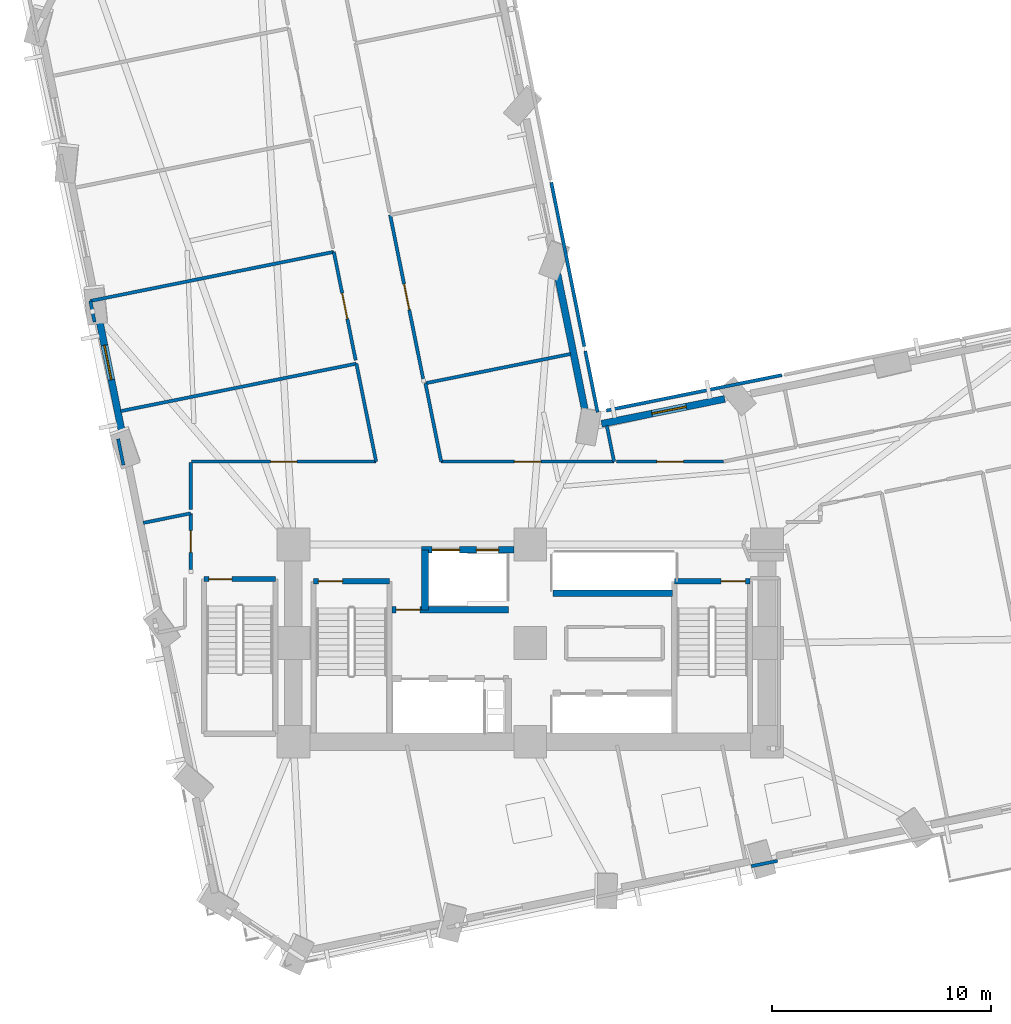
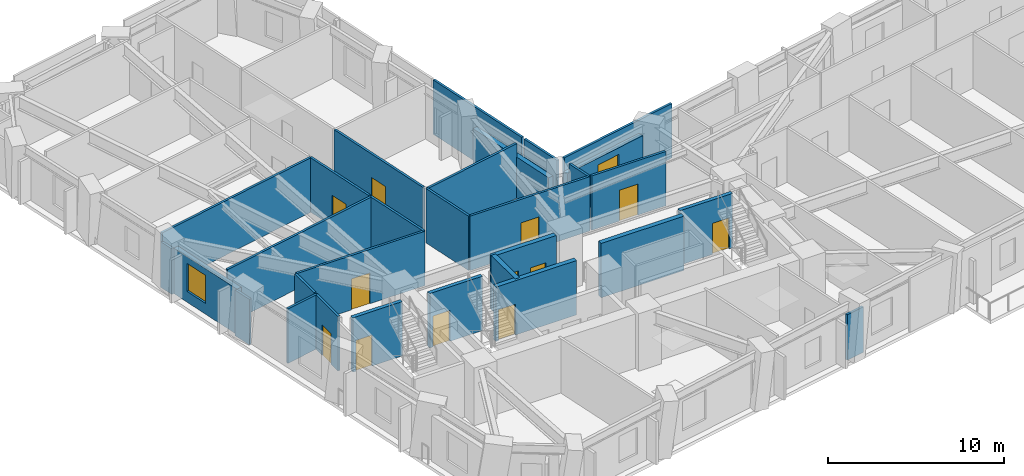
# One storey, part 8 of 16: 30 walls, 12 doors, 2 windows, 14 openings.
"""IFC4 building model written with IfcOpenShell, lengths in metres."""

from ifc_helpers import new_model, si_unit, direction, frame, frame_2d, origin, place, context, subcontext, project, spatial, rectangle, extrude, material, layer, layer_set, type_object, element, fill, save


model = new_model("IFC4")

# Units and contexts
model_context = context("Model", 3, precision=1e-05, world=origin(), true_north=direction((0.0, 1.0)))
body_context = subcontext(model_context, "Body", "Model", "MODEL_VIEW")
ifc_project = project(units=[si_unit("LENGTHUNIT", "METRE"), si_unit("AREAUNIT", "SQUARE_METRE"), si_unit("VOLUMEUNIT", "CUBIC_METRE"), si_unit("PLANEANGLEUNIT", "RADIAN"), si_unit("MASSUNIT", "GRAM", prefix="KILO")], contexts=[model_context])

# Site, building, storey
site_placement = place(None, origin())
site = spatial("IfcSite", under=ifc_project, at=site_placement, CompositionType="ELEMENT")
building_placement = place(site_placement, origin())
building = spatial("IfcBuilding", under=site, at=building_placement, Name="Gaonmaruhae Medical Tower", CompositionType="ELEMENT")
storey_placement = place(building_placement, frame((0.0, 0.0, 71.0)))
storey = spatial("IfcBuildingStorey", under=building, at=storey_placement, Name="L16", CompositionType="ELEMENT", Elevation=71.0)

# Wall, opening, window
ifc_material_1 = material(Name="Precast concrete C45/55", Category="concrete")
ifc_layer_1 = layer(ifc_material_1, 0.320068359375)
ifc_layer_set_1 = layer_set([ifc_layer_1], Name="Precast concrete C45/55")
wall_type_1 = type_object("IfcWallType", Name="EW-320 Lower Precast Masonry-Frame Facade Wall", PredefinedType="SOLIDWALL", material=ifc_layer_set_1)
wall_1_placement = place(storey_placement, frame((28.051025390625, 22.303955078125, 0.0), z_axis=(0.0, 0.0, 1.0), x_axis=(0.980271717469, 0.197654648138, 0.0)))
wall_1 = element("IfcWall", 1, at=wall_1_placement, inside=storey, type_object=wall_type_1, Name="L16 Precast Masonry-Frame Wall EN04-KN01", PredefinedType="SOLIDWALL", context=body_context, shape_type="SweptSolid", body=[
    extrude(rectangle(XDim=5.736328125, YDim=0.320068359375, at=frame_2d((2.8681640625, 0.0))), origin(), (0.0, 0.0, 1.0), 3.1650390625),
])
opening_1_placement = place(wall_1_placement, frame((2.343505859375, 0.0, 0.75)))
opening_1 = element("IfcOpeningElement", 2, at=opening_1_placement, cuts=wall_1, Name="Opening WN-01", PredefinedType="OPENING", context=body_context, shape_type="SweptSolid", body=[
    extrude(rectangle(XDim=1.60009765625, YDim=1.949951171875, at=frame_2d((0.800048828125, 0.97509765625))), frame((0.0, 0.169921875, 0.0), z_axis=(0.0, -1.0, 0.0), x_axis=(1.0, 0.0, 0.0)), (0.0, 0.0, 1.0), 0.340087890625),
])
ifc_material_2 = material(Name="Anodised aluminium and Low-E double glazing", Category="aluminium")
window_type = type_object("IfcWindowType", Name="WN-01 Ward Punched Acoustic Window 1600x1950", PartitioningType="SINGLE_PANEL", PredefinedType="WINDOW", material=ifc_material_2)
window_1_placement = place(opening_1_placement, origin())
window_1 = element("IfcWindow", 3, at=window_1_placement, inside=storey, type_object=window_type, Name="L16 Modular Facade Window EN04", OverallHeight=1.949951171875, OverallWidth=1.60009765625, PartitioningType="SINGLE_PANEL", PredefinedType="WINDOW", context=body_context, shape_type="SweptSolid", body=[
    extrude(rectangle(XDim=1.60009765625, YDim=1.949951171875, at=frame_2d((0.800048828125, 0.97509765625))), frame((0.0, 0.030029296875, 0.0), z_axis=(0.0, -1.0, 0.0), x_axis=(1.0, 0.0, 0.0)), (0.0, 0.0, 1.0), 0.06005859375),
])
fill(opening_1, window_1)

# Wall
wall_2_placement = place(storey_placement, frame((27.336669921875, 22.724609375, 0.0), z_axis=(0.0, 0.0, 1.0), x_axis=(-0.1976674394, 0.980269138248, 0.0)))
element("IfcWall", 4, at=wall_2_placement, inside=storey, type_object=wall_type_1, Name="L16 Precast Masonry-Frame Wall KN01-NE01", PredefinedType="SOLIDWALL", context=body_context, shape_type="SweptSolid", body=[
    extrude(rectangle(XDim=6.5361328125, YDim=0.320068359375, at=frame_2d((3.26806640625, 0.0))), origin(), (0.0, 0.0, 1.0), 2.864990234375),
])

# Wall, opening, window
wall_3_placement = place(storey_placement, frame((6.23095703125, 21.658447265625, 0.0), z_axis=(0.0, 0.0, 1.0), x_axis=(-0.19763548187, 0.980275581817, 0.0)))
wall_3 = element("IfcWall", 5, at=wall_3_placement, inside=storey, type_object=wall_type_1, Name="L16 Precast Masonry-Frame Wall W03-W04", PredefinedType="SOLIDWALL", context=body_context, shape_type="SweptSolid", body=[
    extrude(rectangle(XDim=5.437744140625, YDim=0.320068359375, at=frame_2d((2.71875, 0.0))), origin(), (0.0, 0.0, 1.0), 3.1650390625),
])
opening_2_placement = place(wall_3_placement, frame((2.712890625, 0.0, 0.75)))
opening_2 = element("IfcOpeningElement", 6, at=opening_2_placement, cuts=wall_3, Name="Opening WN-01", PredefinedType="OPENING", context=body_context, shape_type="SweptSolid", body=[
    extrude(rectangle(XDim=1.60009765625, YDim=1.949951171875, at=frame_2d((0.800048828125, 0.97509765625))), frame((0.0, 0.169921875, 0.0), z_axis=(0.0, -1.0, 0.0), x_axis=(1.0, 0.0, 0.0)), (0.0, 0.0, 1.0), 0.340087890625),
])
window_2_placement = place(opening_2_placement, origin())
window_2 = element("IfcWindow", 7, at=window_2_placement, inside=storey, type_object=window_type, Name="L16 Modular Facade Window W03", OverallHeight=1.949951171875, OverallWidth=1.60009765625, PartitioningType="SINGLE_PANEL", PredefinedType="WINDOW", context=body_context, shape_type="SweptSolid", body=[
    extrude(rectangle(XDim=1.60009765625, YDim=1.949951171875, at=frame_2d((0.800048828125, 0.97509765625))), frame((0.0, 0.030029296875, 0.0), z_axis=(0.0, -1.0, 0.0), x_axis=(1.0, 0.0, 0.0)), (0.0, 0.0, 1.0), 0.06005859375),
])
fill(opening_2, window_2)

# Walls
ifc_material_3 = material(Name="Gypsum board partition", Category="gypsum")
ifc_layer_2 = layer(ifc_material_3, 0.14990234375)
ifc_layer_set_2 = layer_set([ifc_layer_2], Name="Gypsum board partition")
wall_type_2 = type_object("IfcWallType", Name="PW-150 Rated Clinical Corridor Partition", PredefinedType="PARTITIONING", material=ifc_layer_set_2)
wall_4_placement = place(storey_placement, frame((36.074951171875, 2.366943359375, 0.0), z_axis=(0.0, 0.0, 1.0), x_axis=(-0.980137701234, -0.198318144961, 0.0)))
element("IfcWall", 8, at=wall_4_placement, inside=storey, type_object=wall_type_2, Name="L16 Interior Partition L16-TRM06-17", PredefinedType="PARTITIONING", context=body_context, shape_type="SweptSolid", body=[
    extrude(rectangle(XDim=1.215087890625, YDim=0.14990234375, at=frame_2d((0.607421875, 0.0))), origin(), (0.0, 0.0, 1.0), 3.1650390625),
])
wall_5_placement = place(storey_placement, frame((7.14990234375, 17.782958984375, 0.0), z_axis=(0.0, 0.0, 1.0), x_axis=(0.980235621704, 0.197833581431, 0.0)))
element("IfcWall", 9, at=wall_5_placement, inside=storey, type_object=wall_type_2, Name="L16 Interior Partition L16-WOF12-42", PredefinedType="PARTITIONING", context=body_context, shape_type="SweptSolid", body=[
    extrude(rectangle(XDim=2.2138671875, YDim=0.14990234375, at=frame_2d((1.10693359375, 0.0))), origin(), (0.0, 0.0, 1.0), 3.780029296875),
])

# Wall, opening, door
wall_6_placement = place(storey_placement, frame((9.320068359375, 18.220947265625, 0.0), z_axis=(0.0, 0.0, 1.0), x_axis=(0.0, -1.0, 0.0)))
wall_6 = element("IfcWall", 10, at=wall_6_placement, inside=storey, type_object=wall_type_2, Name="L16 Interior Partition L16-WOF12-43", PredefinedType="PARTITIONING", context=body_context, shape_type="SweptSolid", body=[
    extrude(rectangle(XDim=2.571044921875, YDim=0.14990234375, at=frame_2d((1.28564453125, 0.0))), origin(), (0.0, 0.0, 1.0), 3.780029296875),
])
opening_3_placement = place(wall_6_placement, frame((0.785400390625, 0.0, 0.0)))
opening_3 = element("IfcOpeningElement", 11, at=opening_3_placement, cuts=wall_6, Name="Opening CD-01", PredefinedType="OPENING", context=body_context, shape_type="SweptSolid", body=[
    extrude(rectangle(XDim=1.0, YDim=2.1201171875, at=frame_2d((0.5, 1.06005859375))), frame((0.0, 0.0849609375, 0.0), z_axis=(0.0, -1.0, 0.0), x_axis=(1.0, 0.0, 0.0)), (0.0, 0.0, 1.0), 0.169921875),
])
ifc_material_4 = material(Name="Antimicrobial laminate timber fire door", Category="wood")
door_type_1 = type_object("IfcDoorType", Name="CD-01 Consultation & Physician Office Door 1000x2120", OperationType="NOTDEFINED", PredefinedType="DOOR", material=ifc_material_4)
door_1_placement = place(opening_3_placement, origin())
door_1 = element("IfcDoor", 12, at=door_1_placement, inside=storey, type_object=door_type_1, Name="L16 Ward Physician Reporting Office Door", OperationType="SINGLE_SWING_RIGHT", OverallHeight=2.1201171875, OverallWidth=1.0, PredefinedType="DOOR", context=body_context, shape_type="SweptSolid", body=[
    extrude(rectangle(XDim=1.0, YDim=2.1201171875, at=frame_2d((0.5, 1.06005859375))), frame((0.0, 0.02490234375, 0.0), z_axis=(0.0, -1.0, 0.0), x_axis=(1.0, 0.0, 0.0)), (0.0, 0.0, 1.0), 0.050048828125),
])
fill(opening_3, door_1)

# Walls
wall_7_placement = place(storey_placement, frame((9.320068359375, 20.550048828125, 0.0), z_axis=(0.0, 0.0, 1.0), x_axis=(0.0, -1.0, 0.0)))
element("IfcWall", 13, at=wall_7_placement, inside=storey, type_object=wall_type_2, Name="L16 Interior Partition L16-WOF13-44", PredefinedType="PARTITIONING", context=body_context, shape_type="SweptSolid", body=[
    extrude(rectangle(XDim=2.166015625, YDim=0.14990234375, at=frame_2d((1.0830078125, 0.0))), origin(), (0.0, 0.0, 1.0), 3.780029296875),
])
wall_8_placement = place(storey_placement, frame((6.24609375, 20.4208984375, 0.0), z_axis=(0.0, 0.0, 1.0), x_axis=(-0.198315891718, 0.980138157145, 0.0)))
element("IfcWall", 14, at=wall_8_placement, inside=storey, type_object=wall_type_2, Name="L16 Interior Partition L16-WOF13-45", PredefinedType="PARTITIONING", context=body_context, shape_type="SweptSolid", body=[
    extrude(rectangle(XDim=1.21630859375, YDim=0.14990234375, at=frame_2d((0.608154296875, 0.0))), origin(), (0.0, 0.0, 1.0), 3.1650390625),
])
wall_9_placement = place(storey_placement, frame((6.1220703125, 22.881103515625, 0.0), z_axis=(0.0, 0.0, 1.0), x_axis=(0.980278085225, 0.197623064515, 0.0)))
element("IfcWall", 15, at=wall_9_placement, inside=storey, type_object=wall_type_2, Name="L16 Interior Partition L16-WOF13-46", PredefinedType="PARTITIONING", context=body_context, shape_type="SweptSolid", body=[
    extrude(rectangle(XDim=10.96533203125, YDim=0.14990234375, at=frame_2d((5.482666015625, 0.0))), origin(), (0.0, 0.0, 1.0), 3.780029296875),
])
wall_10_placement = place(storey_placement, frame((16.87109375, 25.048095703125, 0.0), z_axis=(0.0, 0.0, 1.0), x_axis=(0.197650705998, -0.980272512324, 0.0)))
element("IfcWall", 16, at=wall_10_placement, inside=storey, type_object=wall_type_2, Name="L16 Interior Partition L16-WOF13-47", PredefinedType="PARTITIONING", context=body_context, shape_type="SweptSolid", body=[
    extrude(rectangle(XDim=4.557861328125, YDim=0.14990234375, at=frame_2d((2.27880859375, 0.0))), origin(), (0.0, 0.0, 1.0), 3.780029296875),
])

# Wall, opening, door
wall_11_placement = place(storey_placement, frame((17.77197265625, 20.580078125, 0.0), z_axis=(0.0, 0.0, 1.0), x_axis=(-1.0, 0.0, 0.0)))
wall_11 = element("IfcWall", 17, at=wall_11_placement, inside=storey, type_object=wall_type_2, Name="L16 Interior Partition L16-WOF13-48", PredefinedType="PARTITIONING", context=body_context, shape_type="SweptSolid", body=[
    extrude(rectangle(XDim=8.425048828125, YDim=0.14990234375, at=frame_2d((4.21240234375, 0.0))), origin(), (0.0, 0.0, 1.0), 3.780029296875),
])
opening_4_placement = place(wall_11_placement, frame((3.612548828125, 0.0, 0.0)))
opening_4 = element("IfcOpeningElement", 18, at=opening_4_placement, cuts=wall_11, Name="Opening CD-02", PredefinedType="OPENING", context=body_context, shape_type="SweptSolid", body=[
    extrude(rectangle(XDim=1.199951171875, YDim=2.14990234375, at=frame_2d((0.60009765625, 1.074951171875))), frame((0.0, 0.0849609375, 0.0), z_axis=(0.0, -1.0, 0.0), x_axis=(1.0, 0.0, 0.0)), (0.0, 0.0, 1.0), 0.169921875),
])
door_type_2 = type_object("IfcDoorType", Name="CD-02 Clinical Treatment & Procedure Door 1200x2150", OperationType="NOTDEFINED", PredefinedType="DOOR", material=ifc_material_4)
door_2_placement = place(opening_4_placement, origin())
door_2 = element("IfcDoor", 19, at=door_2_placement, inside=storey, type_object=door_type_2, Name="L16 Ward Physician Reporting Office Door", OperationType="SINGLE_SWING_LEFT", OverallHeight=2.14990234375, OverallWidth=1.199951171875, PredefinedType="DOOR", context=body_context, shape_type="SweptSolid", body=[
    extrude(rectangle(XDim=1.199951171875, YDim=2.14990234375, at=frame_2d((0.60009765625, 1.074951171875))), frame((0.0, 0.02490234375, 0.0), z_axis=(0.0, -1.0, 0.0), x_axis=(1.0, 0.0, 0.0)), (0.0, 0.0, 1.0), 0.050048828125),
])
fill(opening_4, door_2)

# Wall
wall_12_placement = place(storey_placement, frame((4.737060546875, 27.906005859375, 0.0), z_axis=(0.0, 0.0, 1.0), x_axis=(0.980260288007, 0.197711324301, 0.0)))
element("IfcWall", 20, at=wall_12_placement, inside=storey, type_object=wall_type_2, Name="L16 Interior Partition L16-WOF14-49", PredefinedType="PARTITIONING", context=body_context, shape_type="SweptSolid", body=[
    extrude(rectangle(XDim=11.32958984375, YDim=0.14990234375, at=frame_2d((5.664794921875, 0.0))), origin(), (0.0, 0.0, 1.0), 3.780029296875),
])

# Wall, opening, door
wall_13_placement = place(storey_placement, frame((15.843017578125, 30.14599609375, 0.0), z_axis=(0.0, 0.0, 1.0), x_axis=(0.197624916703, -0.980277711824, 0.0)))
wall_13 = element("IfcWall", 21, at=wall_13_placement, inside=storey, type_object=wall_type_2, Name="L16 Interior Partition L16-WOF14-50", PredefinedType="PARTITIONING", context=body_context, shape_type="SweptSolid", body=[
    extrude(rectangle(XDim=5.040283203125, YDim=0.14990234375, at=frame_2d((2.52001953125, 0.0))), origin(), (0.0, 0.0, 1.0), 3.780029296875),
])
opening_5_placement = place(wall_13_placement, frame((1.920166015625, 0.0, 0.0)))
opening_5 = element("IfcOpeningElement", 22, at=opening_5_placement, cuts=wall_13, Name="Opening CD-02", PredefinedType="OPENING", context=body_context, shape_type="SweptSolid", body=[
    extrude(rectangle(XDim=1.199951171875, YDim=2.14990234375, at=frame_2d((0.60009765625, 1.074951171875))), frame((0.0, 0.0849609375, 0.0), z_axis=(0.0, -1.0, 0.0), x_axis=(1.0, 0.0, 0.0)), (0.0, 0.0, 1.0), 0.169921875),
])
door_3_placement = place(opening_5_placement, origin())
door_3 = element("IfcDoor", 23, at=door_3_placement, inside=storey, type_object=door_type_2, Name="L16 Ward Physician Reporting Office Door", OperationType="SINGLE_SWING_RIGHT", OverallHeight=2.14990234375, OverallWidth=1.199951171875, PredefinedType="DOOR", context=body_context, shape_type="SweptSolid", body=[
    extrude(rectangle(XDim=1.199951171875, YDim=2.14990234375, at=frame_2d((0.60009765625, 1.074951171875))), frame((0.0, 0.02490234375, 0.0), z_axis=(0.0, -1.0, 0.0), x_axis=(1.0, 0.0, 0.0)), (0.0, 0.0, 1.0), 0.050048828125),
])
fill(opening_5, door_3)

# Walls
wall_14_placement = place(storey_placement, frame((4.930908203125, 26.944091796875, 0.0), z_axis=(0.0, 0.0, 1.0), x_axis=(-0.197551339711, 0.980292542142, 0.0)))
element("IfcWall", 24, at=wall_14_placement, inside=storey, type_object=wall_type_2, Name="L16 Interior Partition L16-WOF14-51", PredefinedType="PARTITIONING", context=body_context, shape_type="SweptSolid", body=[
    extrude(rectangle(XDim=0.981201171875, YDim=0.14990234375, at=frame_2d((0.49072265625, 0.0))), origin(), (0.0, 0.0, 1.0), 3.1650390625),
])
wall_15_placement = place(storey_placement, frame((20.02001953125, 24.153076171875, 0.0), z_axis=(0.0, 0.0, 1.0), x_axis=(0.980251267329, 0.197756043903, 0.0)))
element("IfcWall", 25, at=wall_15_placement, inside=storey, type_object=wall_type_2, Name="L16 Interior Partition L16-IE01-63", PredefinedType="PARTITIONING", context=body_context, shape_type="SweptSolid", body=[
    extrude(rectangle(XDim=6.75537109375, YDim=0.14990234375, at=frame_2d((3.377685546875, 0.0))), origin(), (0.0, 0.0, 1.0), 3.780029296875),
])
wall_16_placement = place(storey_placement, frame((27.31298828125, 25.6240234375, 0.0), z_axis=(0.0, 0.0, 1.0), x_axis=(0.19753261981, -0.980296314443, 0.0)))
element("IfcWall", 26, at=wall_16_placement, inside=storey, type_object=wall_type_2, Name="L16 Interior Partition L16-IE01-64", PredefinedType="PARTITIONING", context=body_context, shape_type="SweptSolid", body=[
    extrude(rectangle(XDim=2.85009765625, YDim=0.14990234375, at=frame_2d((1.425048828125, 0.0))), origin(), (0.0, 0.0, 1.0), 3.780029296875),
])
wall_17_placement = place(storey_placement, frame((28.2939453125, 22.215087890625, 0.0), z_axis=(0.0, 0.0, 1.0), x_axis=(0.197889115296, -0.980224412085, 0.0)))
element("IfcWall", 27, at=wall_17_placement, inside=storey, type_object=wall_type_2, Name="L16 Interior Partition L16-IE01-65", PredefinedType="PARTITIONING", context=body_context, shape_type="SweptSolid", body=[
    extrude(rectangle(XDim=1.66796875, YDim=0.14990234375, at=frame_2d((0.833984375, 0.0))), origin(), (0.0, 0.0, 1.0), 3.780029296875),
])

# Wall, opening, door
wall_18_placement = place(storey_placement, frame((28.6240234375, 20.580078125, 0.0), z_axis=(0.0, 0.0, 1.0), x_axis=(-1.0, 0.0, 0.0)))
wall_18 = element("IfcWall", 28, at=wall_18_placement, inside=storey, type_object=wall_type_2, Name="L16 Interior Partition L16-IE01-66", PredefinedType="PARTITIONING", context=body_context, shape_type="SweptSolid", body=[
    extrude(rectangle(XDim=7.884033203125, YDim=0.14990234375, at=frame_2d((3.94189453125, 0.0))), origin(), (0.0, 0.0, 1.0), 3.780029296875),
])
opening_6_placement = place(wall_18_placement, frame((3.342041015625, 0.0, 0.0)))
opening_6 = element("IfcOpeningElement", 29, at=opening_6_placement, cuts=wall_18, Name="Opening CD-02", PredefinedType="OPENING", context=body_context, shape_type="SweptSolid", body=[
    extrude(rectangle(XDim=1.199951171875, YDim=2.14990234375, at=frame_2d((0.60009765625, 1.074951171875))), frame((0.0, 0.0849609375, 0.0), z_axis=(0.0, -1.0, 0.0), x_axis=(1.0, 0.0, 0.0)), (0.0, 0.0, 1.0), 0.169921875),
])
door_4_placement = place(opening_6_placement, origin())
door_4 = element("IfcDoor", 30, at=door_4_placement, inside=storey, type_object=door_type_2, Name="L16 Central Clinical Nurse Station Door", OperationType="SINGLE_SWING_RIGHT", OverallHeight=2.14990234375, OverallWidth=1.199951171875, PredefinedType="DOOR", context=body_context, shape_type="SweptSolid", body=[
    extrude(rectangle(XDim=1.199951171875, YDim=2.14990234375, at=frame_2d((0.60009765625, 1.074951171875))), frame((0.0, 0.02490234375, 0.0), z_axis=(0.0, -1.0, 0.0), x_axis=(1.0, 0.0, 0.0)), (0.0, 0.0, 1.0), 0.050048828125),
])
fill(opening_6, door_4)

# Walls
wall_19_placement = place(storey_placement, frame((20.739990234375, 20.580078125, 0.0), z_axis=(0.0, 0.0, 1.0), x_axis=(-0.197532878548, 0.980296262307, 0.0)))
element("IfcWall", 31, at=wall_19_placement, inside=storey, type_object=wall_type_2, Name="L16 Interior Partition L16-IE01-67", PredefinedType="PARTITIONING", context=body_context, shape_type="SweptSolid", body=[
    extrude(rectangle(XDim=3.644775390625, YDim=0.14990234375, at=frame_2d((1.822265625, 0.0))), origin(), (0.0, 0.0, 1.0), 3.780029296875),
])
wall_20_placement = place(storey_placement, frame((28.27587890625, 22.909912109375, 0.0), z_axis=(0.0, 0.0, 1.0), x_axis=(0.980264273595, 0.197691562574, 0.0)))
element("IfcWall", 32, at=wall_20_placement, inside=storey, type_object=wall_type_2, Name="L16 Interior Partition L16-IE02-68", PredefinedType="PARTITIONING", context=body_context, shape_type="SweptSolid", body=[
    extrude(rectangle(XDim=8.164306640625, YDim=0.14990234375, at=frame_2d((4.08203125, 0.0))), origin(), (0.0, 0.0, 1.0), 3.780029296875),
])

# Wall, opening, door
wall_21_placement = place(storey_placement, frame((33.615966796875, 20.580078125, 0.0), z_axis=(0.0, 0.0, 1.0), x_axis=(-1.0, 0.0, 0.0)))
wall_21 = element("IfcWall", 33, at=wall_21_placement, inside=storey, type_object=wall_type_2, Name="L16 Interior Partition L16-IE02-71", PredefinedType="PARTITIONING", context=body_context, shape_type="SweptSolid", body=[
    extrude(rectangle(XDim=4.869873046875, YDim=0.14990234375, at=frame_2d((2.43505859375, 0.0))), origin(), (0.0, 0.0, 1.0), 3.780029296875),
])
opening_7_placement = place(wall_21_placement, frame((1.8349609375, 0.0, 0.0)))
opening_7 = element("IfcOpeningElement", 34, at=opening_7_placement, cuts=wall_21, Name="Opening CD-02", PredefinedType="OPENING", context=body_context, shape_type="SweptSolid", body=[
    extrude(rectangle(XDim=1.199951171875, YDim=2.14990234375, at=frame_2d((0.60009765625, 1.074951171875))), frame((0.0, 0.0849609375, 0.0), z_axis=(0.0, -1.0, 0.0), x_axis=(1.0, 0.0, 0.0)), (0.0, 0.0, 1.0), 0.169921875),
])
door_5_placement = place(opening_7_placement, origin())
door_5 = element("IfcDoor", 35, at=door_5_placement, inside=storey, type_object=door_type_2, Name="L16 Acute Treatment Examination Room Door", OperationType="SINGLE_SWING_RIGHT", OverallHeight=2.14990234375, OverallWidth=1.199951171875, PredefinedType="DOOR", context=body_context, shape_type="SweptSolid", body=[
    extrude(rectangle(XDim=1.199951171875, YDim=2.14990234375, at=frame_2d((0.60009765625, 1.074951171875))), frame((0.0, 0.02490234375, 0.0), z_axis=(0.0, -1.0, 0.0), x_axis=(1.0, 0.0, 0.0)), (0.0, 0.0, 1.0), 0.050048828125),
])
fill(opening_7, door_5)

wall_22_placement = place(storey_placement, frame((19.919921875, 24.346923828125, 0.0), z_axis=(0.0, 0.0, 1.0), x_axis=(-0.197653276626, 0.980271994009, 0.0)))
wall_22 = element("IfcWall", 36, at=wall_22_placement, inside=storey, type_object=wall_type_2, Name="L16 Interior Partition L16-IN01-86", PredefinedType="PARTITIONING", context=body_context, shape_type="SweptSolid", body=[
    extrude(rectangle(XDim=7.634765625, YDim=0.14990234375, at=frame_2d((3.8173828125, 0.0))), origin(), (0.0, 0.0, 1.0), 3.780029296875),
])
opening_8_placement = place(wall_22_placement, frame((3.21728515625, 0.0, 0.0)))
opening_8 = element("IfcOpeningElement", 37, at=opening_8_placement, cuts=wall_22, Name="Opening CD-02", PredefinedType="OPENING", context=body_context, shape_type="SweptSolid", body=[
    extrude(rectangle(XDim=1.199951171875, YDim=2.14990234375, at=frame_2d((0.60009765625, 1.074951171875))), frame((0.0, 0.0849609375, 0.0), z_axis=(0.0, -1.0, 0.0), x_axis=(1.0, 0.0, 0.0)), (0.0, 0.0, 1.0), 0.169921875),
])
door_6_placement = place(opening_8_placement, origin())
door_6 = element("IfcDoor", 38, at=door_6_placement, inside=storey, type_object=door_type_2, Name="L16 Physician Consultation Office Door", OperationType="SINGLE_SWING_RIGHT", OverallHeight=2.14990234375, OverallWidth=1.199951171875, PredefinedType="DOOR", context=body_context, shape_type="SweptSolid", body=[
    extrude(rectangle(XDim=1.199951171875, YDim=2.14990234375, at=frame_2d((0.60009765625, 1.074951171875))), frame((0.0, 0.02490234375, 0.0), z_axis=(0.0, -1.0, 0.0), x_axis=(1.0, 0.0, 0.0)), (0.0, 0.0, 1.0), 0.050048828125),
])
fill(opening_8, door_6)

# Wall
wall_23_placement = place(storey_placement, frame((25.762939453125, 33.31396484375, 0.0), z_axis=(0.0, 0.0, 1.0), x_axis=(0.197634691003, -0.980275741265, 0.0)))
element("IfcWall", 39, at=wall_23_placement, inside=storey, type_object=wall_type_2, Name="L16 Interior Partition L16-IN01-88", PredefinedType="PARTITIONING", context=body_context, shape_type="SweptSolid", body=[
    extrude(rectangle(XDim=7.635498046875, YDim=0.14990234375, at=frame_2d((3.81787109375, 0.0))), origin(), (0.0, 0.0, 1.0), 3.780029296875),
])

# Wall, opening, door
ifc_material_5 = material(Name="Concrete C50/60", Category="concrete")
ifc_layer_3 = layer(ifc_material_5, 0.239990234375)
ifc_layer_set_3 = layer_set([ifc_layer_3], Name="Concrete C50/60")
wall_type_3 = type_object("IfcWallType", Name="SW-240 Dogleg Stair Tight Shaft Wall", PredefinedType="SOLIDWALL", material=ifc_layer_set_3)
wall_24_placement = place(storey_placement, frame((14.919921875, 15.1201171875, 0.0), z_axis=(0.0, 0.0, 1.0), x_axis=(1.0, 0.0, 0.0)))
wall_24 = element("IfcWall", 40, at=wall_24_placement, inside=storey, type_object=wall_type_3, Name="L16 ST-01 Stair Shaft Wall SHW-ST-01-N", PredefinedType="SOLIDWALL", context=body_context, shape_type="SweptSolid", body=[
    extrude(rectangle(XDim=3.4599609375, YDim=0.239990234375, at=frame_2d((1.72998046875, 0.0))), origin(), (0.0, 0.0, 1.0), 3.780029296875),
])
opening_9_placement = place(wall_24_placement, frame((0.219970703125, 0.0, 0.0)))
opening_9 = element("IfcOpeningElement", 41, at=opening_9_placement, cuts=wall_24, Name="Opening FD-01", PredefinedType="OPENING", context=body_context, shape_type="SweptSolid", body=[
    extrude(rectangle(XDim=1.10009765625, YDim=2.14990234375, at=frame_2d((0.550048828125, 1.074951171875))), frame((0.0, 0.1298828125, 0.0), z_axis=(0.0, -1.0, 0.0), x_axis=(1.0, 0.0, 0.0)), (0.0, 0.0, 1.0), 0.260009765625),
])
ifc_material_6 = material(Name="Powder-coated steel fire door", Category="steel")
door_type_3 = type_object("IfcDoorType", Name="FD-01 Escape Stair Protected Fire Door 1100x2150", OperationType="NOTDEFINED", PredefinedType="DOOR", material=ifc_material_6)
door_7_placement = place(opening_9_placement, origin())
door_7 = element("IfcDoor", 42, at=door_7_placement, inside=storey, type_object=door_type_3, Name="L16 ST-01 Protected Escape Stair Door", OperationType="SINGLE_SWING_RIGHT", OverallHeight=2.14990234375, OverallWidth=1.10009765625, PredefinedType="DOOR", context=body_context, shape_type="SweptSolid", body=[
    extrude(rectangle(XDim=1.10009765625, YDim=2.14990234375, at=frame_2d((0.550048828125, 1.074951171875))), frame((0.0, 0.02490234375, 0.0), z_axis=(0.0, -1.0, 0.0), x_axis=(1.0, 0.0, 0.0)), (0.0, 0.0, 1.0), 0.050048828125),
])
fill(opening_9, door_7)

wall_25_placement = place(storey_placement, frame((31.3701171875, 15.1201171875, 0.0), z_axis=(0.0, 0.0, 1.0), x_axis=(1.0, 0.0, 0.0)))
wall_25 = element("IfcWall", 43, at=wall_25_placement, inside=storey, type_object=wall_type_3, Name="L16 ST-02 Stair Shaft Wall SHW-ST-02-N", PredefinedType="SOLIDWALL", context=body_context, shape_type="SweptSolid", body=[
    extrude(rectangle(XDim=3.4599609375, YDim=0.239990234375, at=frame_2d((1.72998046875, 0.0))), origin(), (0.0, 0.0, 1.0), 3.780029296875),
])
opening_10_placement = place(wall_25_placement, frame((2.139892578125, 0.0, 0.0)))
opening_10 = element("IfcOpeningElement", 44, at=opening_10_placement, cuts=wall_25, Name="Opening FD-01", PredefinedType="OPENING", context=body_context, shape_type="SweptSolid", body=[
    extrude(rectangle(XDim=1.10009765625, YDim=2.14990234375, at=frame_2d((0.550048828125, 1.074951171875))), frame((0.0, 0.1298828125, 0.0), z_axis=(0.0, -1.0, 0.0), x_axis=(1.0, 0.0, 0.0)), (0.0, 0.0, 1.0), 0.260009765625),
])
door_8_placement = place(opening_10_placement, origin())
door_8 = element("IfcDoor", 45, at=door_8_placement, inside=storey, type_object=door_type_3, Name="L16 ST-02 Protected Escape Stair Door", OperationType="SINGLE_SWING_LEFT", OverallHeight=2.14990234375, OverallWidth=1.10009765625, PredefinedType="DOOR", context=body_context, shape_type="SweptSolid", body=[
    extrude(rectangle(XDim=1.10009765625, YDim=2.14990234375, at=frame_2d((0.550048828125, 1.074951171875))), frame((0.0, 0.02490234375, 0.0), z_axis=(0.0, -1.0, 0.0), x_axis=(1.0, 0.0, 0.0)), (0.0, 0.0, 1.0), 0.050048828125),
])
fill(opening_10, door_8)

wall_26_placement = place(storey_placement, frame((9.919921875, 15.219970703125, 0.0), z_axis=(0.0, 0.0, 1.0), x_axis=(1.0, 0.0, 0.0)))
wall_26 = element("IfcWall", 46, at=wall_26_placement, inside=storey, type_object=wall_type_3, Name="L16 ST-03 Stair Shaft Wall SHW-ST-03-N", PredefinedType="SOLIDWALL", context=body_context, shape_type="SweptSolid", body=[
    extrude(rectangle(XDim=3.260009765625, YDim=0.239990234375, at=frame_2d((1.6298828125, 0.0))), origin(), (0.0, 0.0, 1.0), 3.780029296875),
])
opening_11_placement = place(wall_26_placement, frame((0.219970703125, 0.0, 0.0)))
opening_11 = element("IfcOpeningElement", 47, at=opening_11_placement, cuts=wall_26, Name="Opening FD-02", PredefinedType="OPENING", context=body_context, shape_type="SweptSolid", body=[
    extrude(rectangle(XDim=1.050048828125, YDim=2.14990234375, at=frame_2d((0.52490234375, 1.074951171875))), frame((0.0, 0.1298828125, 0.0), z_axis=(0.0, -1.0, 0.0), x_axis=(1.0, 0.0, 0.0)), (0.0, 0.0, 1.0), 0.260009765625),
])
door_type_4 = type_object("IfcDoorType", Name="FD-02 Secondary Stair Fire Door 1050x2150", OperationType="NOTDEFINED", PredefinedType="DOOR", material=ifc_material_6)
door_9_placement = place(opening_11_placement, origin())
door_9 = element("IfcDoor", 48, at=door_9_placement, inside=storey, type_object=door_type_4, Name="L16 ST-03 Protected Escape Stair Door", OperationType="SINGLE_SWING_RIGHT", OverallHeight=2.14990234375, OverallWidth=1.050048828125, PredefinedType="DOOR", context=body_context, shape_type="SweptSolid", body=[
    extrude(rectangle(XDim=1.050048828125, YDim=2.14990234375, at=frame_2d((0.52490234375, 1.074951171875))), frame((0.0, 0.02490234375, 0.0), z_axis=(0.0, -1.0, 0.0), x_axis=(1.0, 0.0, 0.0)), (0.0, 0.0, 1.0), 0.050048828125),
])
fill(opening_11, door_9)

# Wall, openings, doors
ifc_layer_4 = layer(ifc_material_5, 0.300048828125)
ifc_layer_set_4 = layer_set([ifc_layer_4], Name="Concrete C50/60")
wall_type_4 = type_object("IfcWallType", Name="SW-300 Stair & Lift Hoistway Shaft Wall", PredefinedType="SOLIDWALL", material=ifc_layer_set_4)
wall_27_placement = place(storey_placement, frame((19.85009765625, 16.550048828125, 0.0), z_axis=(0.0, 0.0, 1.0), x_axis=(1.0, 0.0, 0.0)))
wall_27 = element("IfcWall", 49, at=wall_27_placement, inside=storey, type_object=wall_type_4, Name="L16 Core Shear Wall CSW-NB", PredefinedType="SOLIDWALL", context=body_context, shape_type="SweptSolid", body=[
    extrude(rectangle(XDim=4.199951171875, YDim=0.300048828125, at=frame_2d((2.10009765625, 0.0))), origin(), (0.0, 0.0, 1.0), 3.780029296875),
])
opening_12_placement = place(wall_27_placement, frame((0.47509765625, 0.0, 0.0)))
opening_12 = element("IfcOpeningElement", 50, at=opening_12_placement, cuts=wall_27, Name="Opening LD-F1", PredefinedType="OPENING", context=body_context, shape_type="SweptSolid", body=[
    extrude(rectangle(XDim=1.25, YDim=2.179931640625, at=frame_2d((0.625, 1.08984375))), frame((0.0, 0.16015625, 0.0), z_axis=(0.0, -1.0, 0.0), x_axis=(1.0, 0.0, 0.0)), (0.0, 0.0, 1.0), 0.320068359375),
])
opening_13_placement = place(wall_27_placement, frame((2.489990234375, 0.0, 0.0)))
opening_13 = element("IfcOpeningElement", 51, at=opening_13_placement, cuts=wall_27, Name="Opening LD-S1", PredefinedType="OPENING", context=body_context, shape_type="SweptSolid", body=[
    extrude(rectangle(XDim=1.02001953125, YDim=2.1201171875, at=frame_2d((0.510009765625, 1.06005859375))), frame((0.0, 0.16015625, 0.0), z_axis=(0.0, -1.0, 0.0), x_axis=(1.0, 0.0, 0.0)), (0.0, 0.0, 1.0), 0.320068359375),
])
ifc_material_7 = material(Name="Brushed stainless steel 316L landing door", Category="steel")
door_type_5 = type_object("IfcDoorType", Name="LD-F1 Firefighting & Bed Lift Sliding Landing Door 1250x2180", OperationType="NOTDEFINED", PredefinedType="DOOR", material=ifc_material_7)
door_10_placement = place(opening_12_placement, origin())
door_10 = element("IfcDoor", 52, at=door_10_placement, inside=storey, type_object=door_type_5, Name="L16 Service/Bed Lift Landing Door BDL-01", OperationType="DOUBLE_DOOR_SLIDING", OverallHeight=2.179931640625, OverallWidth=1.25, PredefinedType="DOOR", context=body_context, shape_type="SweptSolid", body=[
    extrude(rectangle(XDim=1.25, YDim=2.179931640625, at=frame_2d((0.625, 1.08984375))), frame((0.0, 0.02490234375, 0.0), z_axis=(0.0, -1.0, 0.0), x_axis=(1.0, 0.0, 0.0)), (0.0, 0.0, 1.0), 0.050048828125),
])
fill(opening_12, door_10)
ifc_material_8 = material(Name="Brushed stainless steel 304 landing door", Category="steel")
door_type_6 = type_object("IfcDoorType", Name="LD-S1 Service Lift Sliding Landing Door 1020x2120", OperationType="NOTDEFINED", PredefinedType="DOOR", material=ifc_material_8)
door_11_placement = place(opening_13_placement, origin())
door_11 = element("IfcDoor", 53, at=door_11_placement, inside=storey, type_object=door_type_6, Name="L16 Service/Bed Lift Landing Door SVL-01", OperationType="SLIDING_TO_LEFT", OverallHeight=2.1201171875, OverallWidth=1.02001953125, PredefinedType="DOOR", context=body_context, shape_type="SweptSolid", body=[
    extrude(rectangle(XDim=1.02001953125, YDim=2.1201171875, at=frame_2d((0.510009765625, 1.06005859375))), frame((0.0, 0.02490234375, 0.0), z_axis=(0.0, -1.0, 0.0), x_axis=(1.0, 0.0, 0.0)), (0.0, 0.0, 1.0), 0.050048828125),
])
fill(opening_13, door_11)

# Wall, opening, door
wall_28_placement = place(storey_placement, frame((18.5, 13.820068359375, 0.0), z_axis=(0.0, 0.0, 1.0), x_axis=(1.0, 0.0, 0.0)))
wall_28 = element("IfcWall", 54, at=wall_28_placement, inside=storey, type_object=wall_type_4, Name="L16 Shaft Enclosure Wall SHW-FFL", PredefinedType="SOLIDWALL", context=body_context, shape_type="SweptSolid", body=[
    extrude(rectangle(XDim=5.300048828125, YDim=0.300048828125, at=frame_2d((2.64990234375, 0.0))), origin(), (0.0, 0.0, 1.0), 3.780029296875),
])
opening_14_placement = place(wall_28_placement, frame((0.179931640625, 0.0, 0.0)))
opening_14 = element("IfcOpeningElement", 55, at=opening_14_placement, cuts=wall_28, Name="Opening FD-01", PredefinedType="OPENING", context=body_context, shape_type="SweptSolid", body=[
    extrude(rectangle(XDim=1.10009765625, YDim=2.14990234375, at=frame_2d((0.550048828125, 1.074951171875))), frame((0.0, 0.16015625, 0.0), z_axis=(0.0, -1.0, 0.0), x_axis=(1.0, 0.0, 0.0)), (0.0, 0.0, 1.0), 0.320068359375),
])
door_12_placement = place(opening_14_placement, origin())
door_12 = element("IfcDoor", 56, at=door_12_placement, inside=storey, type_object=door_type_3, Name="L16 Firefighting Lobby Smoke Door", OperationType="SINGLE_SWING_LEFT", OverallHeight=2.14990234375, OverallWidth=1.10009765625, PredefinedType="DOOR", context=body_context, shape_type="SweptSolid", body=[
    extrude(rectangle(XDim=1.10009765625, YDim=2.14990234375, at=frame_2d((0.550048828125, 1.074951171875))), frame((0.0, 0.02490234375, 0.0), z_axis=(0.0, -1.0, 0.0), x_axis=(1.0, 0.0, 0.0)), (0.0, 0.0, 1.0), 0.050048828125),
])
fill(opening_14, door_12)

# Walls
wall_29_placement = place(storey_placement, frame((20.0, 13.820068359375, 0.0), z_axis=(0.0, 0.0, 1.0), x_axis=(0.0, 1.0, 0.0)))
element("IfcWall", 57, at=wall_29_placement, inside=storey, type_object=wall_type_4, Name="L16 Shaft Enclosure Wall SHW-BDW", PredefinedType="SOLIDWALL", context=body_context, shape_type="SweptSolid", body=[
    extrude(rectangle(XDim=2.72998046875, YDim=0.300048828125, at=frame_2d((1.364990234375, 0.0))), origin(), (0.0, 0.0, 1.0), 3.780029296875),
])
wall_30_placement = place(storey_placement, frame((25.85009765625, 14.580078125, 0.0), z_axis=(0.0, 0.0, 1.0), x_axis=(1.0, 0.0, 0.0)))
element("IfcWall", 58, at=wall_30_placement, inside=storey, type_object=wall_type_4, Name="L16 Shaft Enclosure Wall SHW-PLN", PredefinedType="SOLIDWALL", context=body_context, shape_type="SweptSolid", body=[
    extrude(rectangle(XDim=5.449951171875, YDim=0.300048828125, at=frame_2d((2.72509765625, 0.0))), origin(), (0.0, 0.0, 1.0), 3.780029296875),
])

save(model, "model.ifc")
